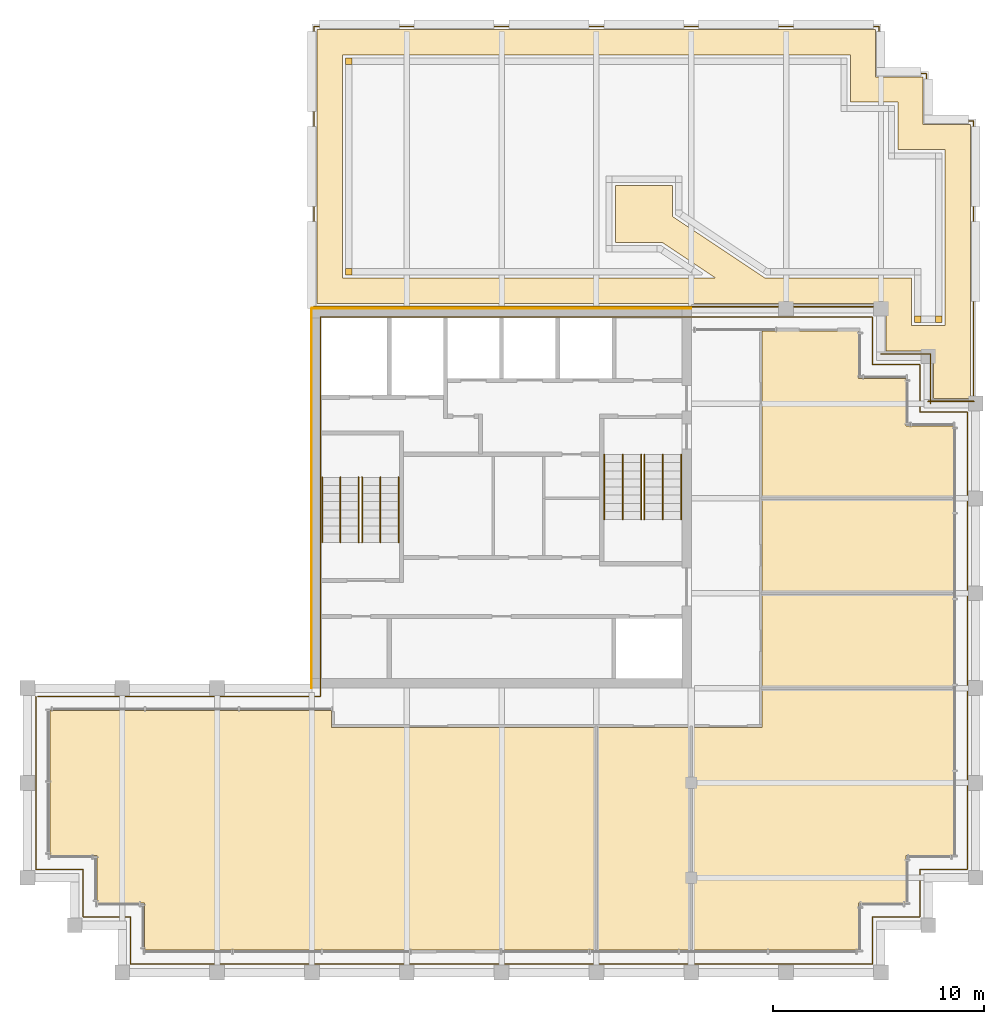
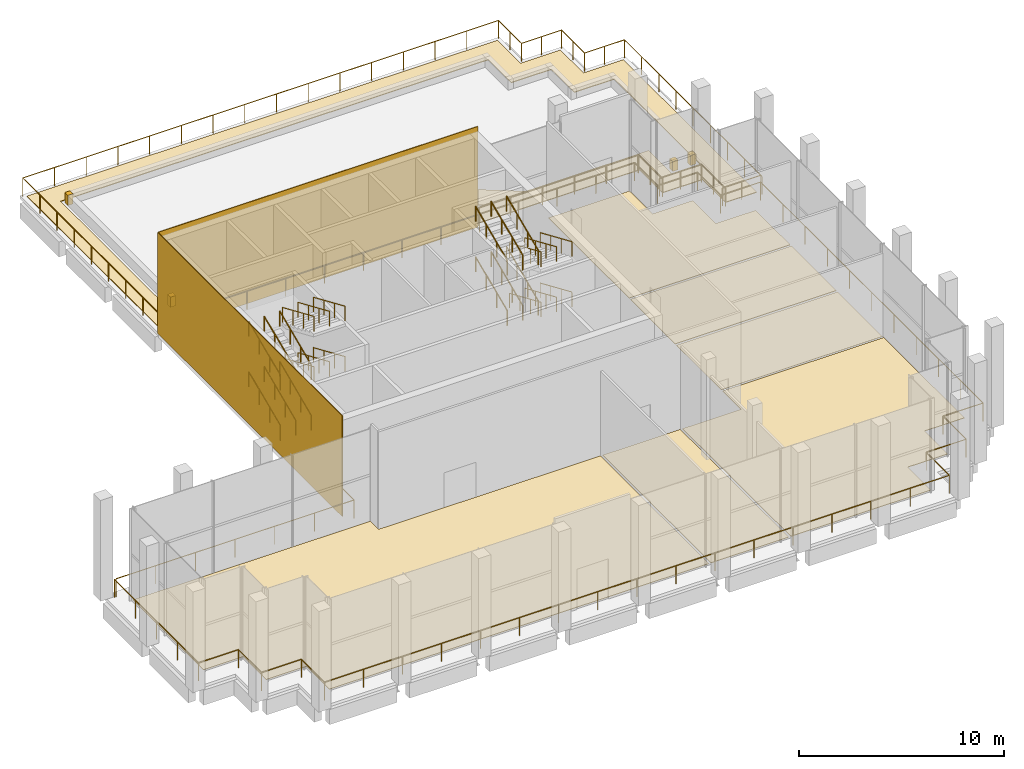
# One storey, part 14 of 15: 29 railings, 13 coverings.
"""IFC4 building model written with IfcOpenShell, lengths in metres."""

from ifc_helpers import new_model, si_unit, direction, frame, origin, origin_2d, place, context, subcontext, project, spatial, polyline, rectangle, circle, outline, extrude, source, transform, mapped, material, layer, layer_set, type_object, element, save


model = new_model("IFC4")

# Units and contexts
model_context = context("Model", 3, precision=1e-05, world=origin(), true_north=direction((0.0, 1.0)))
body_context = subcontext(model_context, "Body", "Model", "MODEL_VIEW")
ifc_project = project(units=[si_unit("LENGTHUNIT", "METRE"), si_unit("AREAUNIT", "SQUARE_METRE"), si_unit("VOLUMEUNIT", "CUBIC_METRE"), si_unit("PLANEANGLEUNIT", "RADIAN"), si_unit("MASSUNIT", "GRAM", prefix="KILO")], contexts=[model_context])

# Site, building, storey
site_placement = place(None, origin())
site = spatial("IfcSite", under=ifc_project, at=site_placement, CompositionType="ELEMENT")
building_placement = place(site_placement, origin())
building = spatial("IfcBuilding", under=site, at=building_placement, Name="Altepetl Exchange Towers", CompositionType="ELEMENT")
storey_placement = place(building_placement, frame((0.0, 0.0, 263.60009765625)))
storey = spatial("IfcBuildingStorey", under=building, at=storey_placement, Name="L67 Observation deck", CompositionType="ELEMENT", Elevation=263.60009765625)

# Coverings
ifc_material_1 = material(Name="Carpet tile")
ifc_layer_1 = layer(ifc_material_1, 0.02001953125)
ifc_layer_set_1 = layer_set([ifc_layer_1], Name="Carpet tile")
covering_type_1 = type_object("IfcCoveringType", Name="Carpet tile floor", PredefinedType="FLOORING", material=ifc_layer_set_1)
covering_1_placement = place(storey_placement, origin())
element("IfcCovering", 1, at=covering_1_placement, inside=storey, type_object=covering_type_1, Name="Meeting room floor finish A67.04", PredefinedType="FLOORING", context=body_context, shape_type="SweptSolid", body=[
    extrude(outline(polyline([(61.862548828125, 40.5625), (70.9375, 40.5625), (70.9375, 44.9375), (61.862548828125, 44.9375), (61.862548828125, 40.5625)])), origin(), (0.0, 0.0, 1.0), 0.02001953125),
])
ifc_material_2 = material(Name="Concrete C30/37", Category="concrete")
ifc_layer_2 = layer(ifc_material_2, 0.300048828125)
ifc_layer_set_2 = layer_set([ifc_layer_2], Name="Concrete C30/37")
covering_type_2 = type_object("IfcCoveringType", Name="Planter corner block 300 concrete", PredefinedType="CLADDING", material=ifc_layer_set_2)
covering_2_placement = place(storey_placement, origin())
element("IfcCovering", 2, at=covering_2_placement, inside=storey, type_object=covering_type_2, Name="Planter corner block", PredefinedType="CLADDING", context=body_context, shape_type="SweptSolid", body=[
    extrude(outline(polyline([(42.39990234375, 70.10009765625), (42.39990234375, 70.39990234375), (42.10009765625, 70.39990234375), (42.10009765625, 70.10009765625), (42.39990234375, 70.10009765625)])), origin(), (0.0, 0.0, 1.0), 0.599853515625),
])
covering_3_placement = place(storey_placement, origin())
element("IfcCovering", 3, at=covering_3_placement, inside=storey, type_object=covering_type_2, Name="Planter corner block", PredefinedType="CLADDING", context=body_context, shape_type="SweptSolid", body=[
    extrude(outline(polyline([(42.39990234375, 60.39990234375), (42.10009765625, 60.39990234375), (42.10009765625, 60.10009765625), (42.39990234375, 60.10009765625), (42.39990234375, 60.39990234375)])), origin(), (0.0, 0.0, 1.0), 0.599853515625),
])
covering_4_placement = place(storey_placement, origin())
element("IfcCovering", 4, at=covering_4_placement, inside=storey, type_object=covering_type_2, Name="Planter corner block", PredefinedType="CLADDING", context=body_context, shape_type="SweptSolid", body=[
    extrude(outline(polyline([(69.39990234375, 58.14990234375), (69.10009765625, 58.14990234375), (69.10009765625, 57.85009765625), (69.39990234375, 57.85009765625), (69.39990234375, 58.14990234375)])), origin(), (0.0, 0.0, 1.0), 0.599853515625),
])
covering_5_placement = place(storey_placement, origin())
element("IfcCovering", 5, at=covering_5_placement, inside=storey, type_object=covering_type_2, Name="Planter corner block", PredefinedType="CLADDING", context=body_context, shape_type="SweptSolid", body=[
    extrude(outline(polyline([(70.10009765625, 58.14990234375), (70.10009765625, 57.85009765625), (70.39990234375, 57.85009765625), (70.39990234375, 58.14990234375), (70.10009765625, 58.14990234375)])), origin(), (0.0, 0.0, 1.0), 0.599853515625),
])
ifc_material_3 = material(Name="Cantera stone", Category="masonry")
ifc_layer_3 = layer(ifc_material_3, 0.030029296875)
ifc_layer_set_3 = layer_set([ifc_layer_3], Name="Cantera stone")
covering_type_3 = type_object("IfcCoveringType", Name="Polished stone floor", PredefinedType="FLOORING", material=ifc_layer_set_3)
covering_6_placement = place(storey_placement, origin())
element("IfcCovering", 6, at=covering_6_placement, inside=storey, type_object=covering_type_3, Name="Exhibition room floor finish A67.01", PredefinedType="FLOORING", context=body_context, shape_type="SweptSolid", body=[
    extrude(outline(polyline([(54.0625, 38.637451171875), (54.0625, 28.0625), (58.4375, 28.0625), (58.4375, 38.637451171875), (54.0625, 38.637451171875)])), origin(), (0.0, 0.0, 1.0), 0.02978515625),
])
covering_7_placement = place(storey_placement, origin())
element("IfcCovering", 7, at=covering_7_placement, inside=storey, type_object=covering_type_3, Name="Observation gallery floor finish A67.02", PredefinedType="FLOORING", context=body_context, shape_type="SweptSolid", body=[
    extrude(outline(polyline([(53.9375, 38.637451171875), (41.4375, 38.637451171875), (41.4375, 39.4375), (28.0625, 39.4375), (28.0625, 32.5625), (30.3125, 32.5625), (30.3125, 30.3125), (32.5625, 30.3125), (32.5625, 28.0625), (53.9375, 28.0625), (53.9375, 38.637451171875)])), origin(), (0.0, 0.0, 1.0), 0.02978515625),
])
covering_8_placement = place(storey_placement, origin())
element("IfcCovering", 8, at=covering_8_placement, inside=storey, type_object=covering_type_3, Name="Lookout cafe floor finish A67.03", PredefinedType="FLOORING", context=body_context, shape_type="SweptSolid", body=[
    extrude(outline(polyline([(58.5625, 38.637451171875), (58.5625, 28.0625), (66.4375, 28.0625), (66.4375, 30.3125), (68.6875, 30.3125), (68.6875, 32.5625), (70.9375, 32.5625), (70.9375, 40.4375), (61.862548828125, 40.4375), (61.862548828125, 38.637451171875), (58.5625, 38.637451171875)])), origin(), (0.0, 0.0, 1.0), 0.02978515625),
])
covering_9_placement = place(storey_placement, origin())
element("IfcCovering", 9, at=covering_9_placement, inside=storey, type_object=covering_type_3, Name="Reception floor finish A67.05", PredefinedType="FLOORING", context=body_context, shape_type="SweptSolid", body=[
    extrude(outline(polyline([(61.862548828125, 45.0625), (70.9375, 45.0625), (70.9375, 49.4375), (61.862548828125, 49.4375), (61.862548828125, 45.0625)])), origin(), (0.0, 0.0, 1.0), 0.02978515625),
])
covering_10_placement = place(storey_placement, origin())
element("IfcCovering", 10, at=covering_10_placement, inside=storey, type_object=covering_type_3, Name="Event room floor finish A67.06", PredefinedType="FLOORING", context=body_context, shape_type="SweptSolid", body=[
    extrude(outline(polyline([(61.862548828125, 49.5625), (70.9375, 49.5625), (70.9375, 52.9375), (68.6875, 52.9375), (68.6875, 55.1875), (66.4375, 55.1875), (66.4375, 57.4375), (61.862548828125, 57.4375), (61.862548828125, 49.5625)])), origin(), (0.0, 0.0, 1.0), 0.02978515625),
])
ifc_material_4 = material(Name="Cantera limestone cladding", Category="masonry")
ifc_layer_4 = layer(ifc_material_4, 0.0400390625)
ifc_layer_set_4 = layer_set([ifc_layer_4], Name="Cantera limestone cladding")
covering_type_4 = type_object("IfcCoveringType", Name="Stone panel 40 cantera", PredefinedType="CLADDING", material=ifc_layer_set_4)
for number, where, z_axis, x_axis, name in (
    (11, (49.5, 58.52001953125, 0.0), (0.0, 0.0, 1.0), (-1.0, 0.0, 0.0), "Stone cladding panel"),
    (12, (40.47998046875, 49.5, 0.0), (0.0, 0.0, 1.0), (0.0, -1.0, 0.0), "Stone cladding panel"),
):
    element("IfcCovering", number, at=place(storey_placement, frame(where, z_axis=z_axis, x_axis=x_axis)), inside=storey, type_object=covering_type_4, Name=name, PredefinedType="CLADDING", context=body_context, shape_type="SweptSolid", body=[
        extrude(rectangle(XDim=18.0, YDim=0.0400390625, at=origin_2d()), origin(), (0.0, 0.0, 1.0), 6.0),
    ])
ifc_material_5 = material(Name="Cantera limestone paving", Category="masonry")
ifc_layer_5 = layer(ifc_material_5, 0.0400390625)
ifc_layer_set_5 = layer_set([ifc_layer_5], Name="Cantera limestone paving")
covering_type_5 = type_object("IfcCoveringType", Name="Stone terrace paving 40", PredefinedType="FLOORING", material=ifc_layer_set_5)
covering_11_placement = place(storey_placement, origin())
element("IfcCovering", 13, at=covering_11_placement, inside=storey, type_object=covering_type_5, Name="Terrace paving", PredefinedType="FLOORING", context=body_context, shape_type="SweptSolid", body=[
    extrude(outline(polyline([(67.25, 69.5), (67.25, 71.75), (40.75, 71.75), (40.75, 58.75), (67.75, 58.75), (67.75, 56.5), (70.0, 56.5), (70.0, 54.25), (71.75, 54.25), (71.75, 67.25), (69.5, 67.25), (69.5, 69.5), (67.25, 69.5)]), holes=[polyline([(41.949951171875, 70.550048828125), (41.949951171875, 59.949951171875), (59.66748046875, 59.949951171875), (57.10791015625, 61.64990234375), (54.89990234375, 61.64990234375), (54.89990234375, 64.35009765625), (57.60009765625, 64.35009765625), (57.60009765625, 62.8837890625), (62.01708984375, 59.949951171875), (68.949951171875, 59.949951171875), (68.949951171875, 57.699951171875), (70.550048828125, 57.699951171875), (70.550048828125, 66.050048828125), (68.300048828125, 66.050048828125), (68.300048828125, 68.300048828125), (66.050048828125, 68.300048828125), (66.050048828125, 70.550048828125), (41.949951171875, 70.550048828125)])]), origin(), (0.0, 0.0, 1.0), 0.039794921875),
])

# Railings
ifc_material_6 = material(Name="Steel S355", Category="steel")
railing_type_1 = type_object("IfcRailingType", Name="Guard 1100 steel posts and rail", PredefinedType="GUARDRAIL", material=ifc_material_6)
shared_shape_1 = source(origin(), body_context, "Body", "SweptSolid", [
    extrude(circle(Radius=0.02099609375, at=origin_2d()), origin(), (0.0, 0.0, 1.0), 1.052001953125),
])
railing_1_placement = place(storey_placement, frame((27.39990234375, 40.10009765625, 0.0)))
element("IfcRailing", 14, at=railing_1_placement, inside=storey, type_object=railing_type_1, Name="Loggia guard", PredefinedType="GUARDRAIL", context=body_context, shape_type="SweptSolid", body=[
    extrude(circle(Radius=0.02392578125, at=origin_2d()), frame((0.0, 0.0, 1.076171875), z_axis=(0.0, -1.0, 0.0), x_axis=(1.0, 0.0, 0.0)), (0.0, 0.0, 1.0), 8.2001953125),
    extrude(circle(Radius=0.02392578125, at=origin_2d()), frame((0.0, -8.2001953125, 1.076171875), z_axis=(1.0, 0.0, 0.0), x_axis=(0.0, 1.0, 0.0)), (0.0, 0.0, 1.0), 2.25),
    extrude(circle(Radius=0.02392578125, at=origin_2d()), frame((2.25, -8.2001953125, 1.076171875), z_axis=(0.0, -1.0, 0.0), x_axis=(1.0, 0.0, 0.0)), (0.0, 0.0, 1.0), 2.25),
    extrude(circle(Radius=0.02392578125, at=origin_2d()), frame((2.25, -10.4501953125, 1.076171875), z_axis=(1.0, 0.0, 0.0), x_axis=(0.0, 1.0, 0.0)), (0.0, 0.0, 1.0), 2.25),
    extrude(circle(Radius=0.02392578125, at=origin_2d()), frame((4.5, -10.4501953125, 1.076171875), z_axis=(0.0, -1.0, 0.0), x_axis=(1.0, 0.0, 0.0)), (0.0, 0.0, 1.0), 2.25),
    extrude(circle(Radius=0.02392578125, at=origin_2d()), frame((4.5, -12.7001953125, 1.076171875), z_axis=(1.0, 0.0, 0.0), x_axis=(0.0, 1.0, 0.0)), (0.0, 0.0, 1.0), 35.2001953125),
    extrude(circle(Radius=0.02392578125, at=origin_2d()), frame((39.7001953125, -12.7001953125, 1.076171875), z_axis=(0.0, 1.0, 0.0), x_axis=(-1.0, 0.0, 0.0)), (0.0, 0.0, 1.0), 2.25),
    extrude(circle(Radius=0.02392578125, at=origin_2d()), frame((39.7001953125, -10.4501953125, 1.076171875), z_axis=(1.0, 0.0, 0.0), x_axis=(0.0, 1.0, 0.0)), (0.0, 0.0, 1.0), 2.25),
    extrude(circle(Radius=0.02392578125, at=origin_2d()), frame((41.9501953125, -10.4501953125, 1.076171875), z_axis=(0.0, 1.0, 0.0), x_axis=(-1.0, 0.0, 0.0)), (0.0, 0.0, 1.0), 2.25),
    extrude(circle(Radius=0.02392578125, at=origin_2d()), frame((41.9501953125, -8.2001953125, 1.076171875), z_axis=(1.0, 0.0, 0.0), x_axis=(0.0, 1.0, 0.0)), (0.0, 0.0, 1.0), 2.25),
    extrude(circle(Radius=0.02392578125, at=origin_2d()), frame((44.2001953125, -8.2001953125, 1.076171875), z_axis=(0.0, 1.0, 0.0), x_axis=(-1.0, 0.0, 0.0)), (0.0, 0.0, 1.0), 21.7001953125),
    extrude(circle(Radius=0.02392578125, at=origin_2d()), frame((44.2001953125, 13.5, 1.076171875), z_axis=(-1.0, 0.0, 0.0), x_axis=(0.0, -1.0, 0.0)), (0.0, 0.0, 1.0), 2.25),
    extrude(circle(Radius=0.02392578125, at=origin_2d()), frame((41.9501953125, 13.5, 1.076171875), z_axis=(0.0, 1.0, 0.0), x_axis=(-1.0, 0.0, 0.0)), (0.0, 0.0, 1.0), 2.25),
    extrude(circle(Radius=0.02392578125, at=origin_2d()), frame((41.9501953125, 15.75, 1.076171875), z_axis=(-1.0, 0.0, 0.0), x_axis=(0.0, -1.0, 0.0)), (0.0, 0.0, 1.0), 2.25),
    extrude(circle(Radius=0.02392578125, at=origin_2d()), frame((39.7001953125, 15.75, 1.076171875), z_axis=(0.0, 1.0, 0.0), x_axis=(-1.0, 0.0, 0.0)), (0.0, 0.0, 1.0), 2.25),
    extrude(circle(Radius=0.02392578125, at=origin_2d()), frame((39.7001953125, 18.0, 1.076171875), z_axis=(-1.0, 0.0, 0.0), x_axis=(0.0, -1.0, 0.0)), (0.0, 0.0, 1.0), 26.2001953125),
    extrude(circle(Radius=0.02392578125, at=origin_2d()), frame((13.5, 18.0, 1.076171875), z_axis=(0.0, -1.0, 0.0), x_axis=(1.0, 0.0, 0.0)), (0.0, 0.0, 1.0), 18.0),
    extrude(circle(Radius=0.02392578125, at=origin_2d()), frame((13.5, 0.0, 1.076171875), z_axis=(-1.0, 0.0, 0.0), x_axis=(0.0, -1.0, 0.0)), (0.0, 0.0, 1.0), 13.39990234375),
    mapped(shared_shape_1, transform((0.0, 0.0, 0.0))),
    mapped(shared_shape_1, transform((0.0, -2.050048828125, 0.0))),
    mapped(shared_shape_1, transform((0.0, -4.10009765625, 0.0))),
    mapped(shared_shape_1, transform((0.0, -6.150146484375, 0.0))),
    mapped(shared_shape_1, transform((0.0, -8.2001953125, 0.0))),
    mapped(shared_shape_1, transform((2.25, -8.2001953125, 0.0))),
    mapped(shared_shape_1, transform((2.25, -10.4501953125, 0.0))),
    mapped(shared_shape_1, transform((4.5, -10.4501953125, 0.0))),
    mapped(shared_shape_1, transform((4.5, -12.7001953125, 0.0))),
    mapped(shared_shape_1, transform((6.699951171875, -12.7001953125, 0.0))),
    mapped(shared_shape_1, transform((8.89990234375, -12.7001953125, 0.0))),
    mapped(shared_shape_1, transform((11.10009765625, -12.7001953125, 0.0))),
    mapped(shared_shape_1, transform((13.300048828125, -12.7001953125, 0.0))),
    mapped(shared_shape_1, transform((15.5, -12.7001953125, 0.0))),
    mapped(shared_shape_1, transform((17.7001953125, -12.7001953125, 0.0))),
    mapped(shared_shape_1, transform((19.900146484375, -12.7001953125, 0.0))),
    mapped(shared_shape_1, transform((22.10009765625, -12.7001953125, 0.0))),
    mapped(shared_shape_1, transform((24.300048828125, -12.7001953125, 0.0))),
    mapped(shared_shape_1, transform((26.5, -12.7001953125, 0.0))),
    mapped(shared_shape_1, transform((28.7001953125, -12.7001953125, 0.0))),
    mapped(shared_shape_1, transform((30.900146484375, -12.7001953125, 0.0))),
    mapped(shared_shape_1, transform((33.10009765625, -12.7001953125, 0.0))),
    mapped(shared_shape_1, transform((35.30029296875, -12.7001953125, 0.0))),
    mapped(shared_shape_1, transform((37.500244140625, -12.7001953125, 0.0))),
    mapped(shared_shape_1, transform((39.7001953125, -12.7001953125, 0.0))),
    mapped(shared_shape_1, transform((39.7001953125, -10.4501953125, 0.0))),
    mapped(shared_shape_1, transform((41.9501953125, -10.4501953125, 0.0))),
    mapped(shared_shape_1, transform((41.9501953125, -8.2001953125, 0.0))),
    mapped(shared_shape_1, transform((44.2001953125, -8.2001953125, 0.0))),
    mapped(shared_shape_1, transform((44.2001953125, -6.0302734375, 0.0))),
    mapped(shared_shape_1, transform((44.2001953125, -3.860107421875, 0.0))),
    mapped(shared_shape_1, transform((44.2001953125, -1.690185546875, 0.0))),
    mapped(shared_shape_1, transform((44.2001953125, 0.47998046875, 0.0))),
    mapped(shared_shape_1, transform((44.2001953125, 2.64990234375, 0.0))),
    mapped(shared_shape_1, transform((44.2001953125, 4.81982421875, 0.0))),
    mapped(shared_shape_1, transform((44.2001953125, 6.989990234375, 0.0))),
    mapped(shared_shape_1, transform((44.2001953125, 9.159912109375, 0.0))),
    mapped(shared_shape_1, transform((44.2001953125, 11.330078125, 0.0))),
    mapped(shared_shape_1, transform((44.2001953125, 13.5, 0.0))),
    mapped(shared_shape_1, transform((41.9501953125, 13.5, 0.0))),
    mapped(shared_shape_1, transform((41.9501953125, 15.75, 0.0))),
    mapped(shared_shape_1, transform((39.7001953125, 15.75, 0.0))),
    mapped(shared_shape_1, transform((39.7001953125, 18.0, 0.0))),
    mapped(shared_shape_1, transform((37.516845703125, 18.0, 0.0))),
    mapped(shared_shape_1, transform((35.33349609375, 18.0, 0.0))),
    mapped(shared_shape_1, transform((33.150146484375, 18.0, 0.0))),
    mapped(shared_shape_1, transform((30.966796875, 18.0, 0.0))),
    mapped(shared_shape_1, transform((28.783447265625, 18.0, 0.0))),
    mapped(shared_shape_1, transform((26.60009765625, 18.0, 0.0))),
    mapped(shared_shape_1, transform((24.416748046875, 18.0, 0.0))),
    mapped(shared_shape_1, transform((22.2333984375, 18.0, 0.0))),
    mapped(shared_shape_1, transform((20.050048828125, 18.0, 0.0))),
    mapped(shared_shape_1, transform((17.86669921875, 18.0, 0.0))),
    mapped(shared_shape_1, transform((15.683349609375, 18.0, 0.0))),
    mapped(shared_shape_1, transform((13.5, 18.0, 0.0))),
    mapped(shared_shape_1, transform((13.5, 15.75, 0.0))),
    mapped(shared_shape_1, transform((13.5, 13.5, 0.0))),
    mapped(shared_shape_1, transform((13.5, 11.25, 0.0))),
    mapped(shared_shape_1, transform((13.5, 9.0, 0.0))),
    mapped(shared_shape_1, transform((13.5, 6.75, 0.0))),
    mapped(shared_shape_1, transform((13.5, 4.5, 0.0))),
    mapped(shared_shape_1, transform((13.5, 2.25, 0.0))),
    mapped(shared_shape_1, transform((13.5, 0.0, 0.0))),
    mapped(shared_shape_1, transform((11.2666015625, 0.0, 0.0))),
    mapped(shared_shape_1, transform((9.033447265625, 0.0, 0.0))),
    mapped(shared_shape_1, transform((6.800048828125, 0.0, 0.0))),
    mapped(shared_shape_1, transform((4.566650390625, 0.0, 0.0))),
    mapped(shared_shape_1, transform((2.33349609375, 0.0, 0.0))),
    mapped(shared_shape_1, transform((0.10009765625, 0.0, 0.0))),
])
railing_2_placement = place(storey_placement, frame((71.89990234375, 54.0, 0.0)))
element("IfcRailing", 15, at=railing_2_placement, inside=storey, type_object=railing_type_1, Name="Terrace guard", PredefinedType="GUARDRAIL", context=body_context, shape_type="SweptSolid", body=[
    extrude(circle(Radius=0.02392578125, at=origin_2d()), frame((0.0, 0.0, 1.076171875), z_axis=(0.0, 1.0, 0.0), x_axis=(-1.0, 0.0, 0.0)), (0.0, 0.0, 1.0), 13.39990234375),
    extrude(circle(Radius=0.02392578125, at=origin_2d()), frame((0.0, 13.39990234375, 1.076171875), z_axis=(-1.0, 0.0, 0.0), x_axis=(0.0, -1.0, 0.0)), (0.0, 0.0, 1.0), 2.25),
    extrude(circle(Radius=0.02392578125, at=origin_2d()), frame((-2.25, 13.39990234375, 1.076171875), z_axis=(0.0, 1.0, 0.0), x_axis=(-1.0, 0.0, 0.0)), (0.0, 0.0, 1.0), 2.25),
    extrude(circle(Radius=0.02392578125, at=origin_2d()), frame((-2.25, 15.64990234375, 1.076171875), z_axis=(-1.0, 0.0, 0.0), x_axis=(0.0, -1.0, 0.0)), (0.0, 0.0, 1.0), 2.25),
    extrude(circle(Radius=0.02392578125, at=origin_2d()), frame((-4.5, 15.64990234375, 1.076171875), z_axis=(0.0, 1.0, 0.0), x_axis=(-1.0, 0.0, 0.0)), (0.0, 0.0, 1.0), 2.25),
    extrude(circle(Radius=0.02392578125, at=origin_2d()), frame((-4.5, 17.89990234375, 1.076171875), z_axis=(-1.0, 0.0, 0.0), x_axis=(0.0, -1.0, 0.0)), (0.0, 0.0, 1.0), 26.7998046875),
    extrude(circle(Radius=0.02392578125, at=origin_2d()), frame((-31.2998046875, 17.89990234375, 1.076171875), z_axis=(0.0, -1.0, 0.0), x_axis=(1.0, 0.0, 0.0)), (0.0, 0.0, 1.0), 13.39990234375),
    mapped(shared_shape_1, transform((0.0, 0.0, 0.0))),
    mapped(shared_shape_1, transform((0.0, 1.675048828125, 0.0))),
    mapped(shared_shape_1, transform((0.0, 3.35009765625, 0.0))),
    mapped(shared_shape_1, transform((0.0, 5.02490234375, 0.0))),
    mapped(shared_shape_1, transform((0.0, 6.699951171875, 0.0))),
    mapped(shared_shape_1, transform((0.0, 8.375, 0.0))),
    mapped(shared_shape_1, transform((0.0, 10.0498046875, 0.0))),
    mapped(shared_shape_1, transform((0.0, 11.724853515625, 0.0))),
    mapped(shared_shape_1, transform((0.0, 13.39990234375, 0.0))),
    mapped(shared_shape_1, transform((-1.125, 13.39990234375, 0.0))),
    mapped(shared_shape_1, transform((-2.25, 13.39990234375, 0.0))),
    mapped(shared_shape_1, transform((-2.25, 14.52490234375, 0.0))),
    mapped(shared_shape_1, transform((-2.25, 15.64990234375, 0.0))),
    mapped(shared_shape_1, transform((-3.375, 15.64990234375, 0.0))),
    mapped(shared_shape_1, transform((-4.5, 15.64990234375, 0.0))),
    mapped(shared_shape_1, transform((-4.5, 16.77490234375, 0.0))),
    mapped(shared_shape_1, transform((-4.5, 17.89990234375, 0.0))),
    mapped(shared_shape_1, transform((-6.28662109375, 17.89990234375, 0.0))),
    mapped(shared_shape_1, transform((-8.0732421875, 17.89990234375, 0.0))),
    mapped(shared_shape_1, transform((-9.85986328125, 17.89990234375, 0.0))),
    mapped(shared_shape_1, transform((-11.646728515625, 17.89990234375, 0.0))),
    mapped(shared_shape_1, transform((-13.433349609375, 17.89990234375, 0.0))),
    mapped(shared_shape_1, transform((-15.219970703125, 17.89990234375, 0.0))),
    mapped(shared_shape_1, transform((-17.006591796875, 17.89990234375, 0.0))),
    mapped(shared_shape_1, transform((-18.793212890625, 17.89990234375, 0.0))),
    mapped(shared_shape_1, transform((-20.579833984375, 17.89990234375, 0.0))),
    mapped(shared_shape_1, transform((-22.366455078125, 17.89990234375, 0.0))),
    mapped(shared_shape_1, transform((-24.153076171875, 17.89990234375, 0.0))),
    mapped(shared_shape_1, transform((-25.93994140625, 17.89990234375, 0.0))),
    mapped(shared_shape_1, transform((-27.7265625, 17.89990234375, 0.0))),
    mapped(shared_shape_1, transform((-29.51318359375, 17.89990234375, 0.0))),
    mapped(shared_shape_1, transform((-31.2998046875, 17.89990234375, 0.0))),
    mapped(shared_shape_1, transform((-31.2998046875, 16.224853515625, 0.0))),
    mapped(shared_shape_1, transform((-31.2998046875, 14.5498046875, 0.0))),
    mapped(shared_shape_1, transform((-31.2998046875, 12.875, 0.0))),
    mapped(shared_shape_1, transform((-31.2998046875, 11.199951171875, 0.0))),
    mapped(shared_shape_1, transform((-31.2998046875, 9.52490234375, 0.0))),
    mapped(shared_shape_1, transform((-31.2998046875, 7.85009765625, 0.0))),
    mapped(shared_shape_1, transform((-31.2998046875, 6.175048828125, 0.0))),
    mapped(shared_shape_1, transform((-31.2998046875, 4.5, 0.0))),
])
railing_3_placement = place(storey_placement, frame((40.60009765625, 58.60009765625, 0.0)))
element("IfcRailing", 16, at=railing_3_placement, inside=storey, type_object=railing_type_1, Name="Terrace guard", PredefinedType="GUARDRAIL", context=body_context, shape_type="SweptSolid", body=[
    extrude(circle(Radius=0.02392578125, at=origin_2d()), frame((0.0, 0.0, 1.076171875), z_axis=(1.0, 0.0, 0.0), x_axis=(0.0, 1.0, 0.0)), (0.0, 0.0, 1.0), 27.0),
    extrude(circle(Radius=0.02392578125, at=origin_2d()), frame((27.0, 0.0, 1.076171875), z_axis=(0.0, -1.0, 0.0), x_axis=(1.0, 0.0, 0.0)), (0.0, 0.0, 1.0), 2.35009765625),
    mapped(shared_shape_1, transform((0.0, 0.0, 0.0))),
    mapped(shared_shape_1, transform((1.800048828125, 0.0, 0.0))),
    mapped(shared_shape_1, transform((3.60009765625, 0.0, 0.0))),
    mapped(shared_shape_1, transform((5.39990234375, 0.0, 0.0))),
    mapped(shared_shape_1, transform((7.199951171875, 0.0, 0.0))),
    mapped(shared_shape_1, transform((9.0, 0.0, 0.0))),
    mapped(shared_shape_1, transform((10.800048828125, 0.0, 0.0))),
    mapped(shared_shape_1, transform((12.60009765625, 0.0, 0.0))),
    mapped(shared_shape_1, transform((14.39990234375, 0.0, 0.0))),
    mapped(shared_shape_1, transform((16.199951171875, 0.0, 0.0))),
    mapped(shared_shape_1, transform((18.0, 0.0, 0.0))),
    mapped(shared_shape_1, transform((19.800048828125, 0.0, 0.0))),
    mapped(shared_shape_1, transform((21.60009765625, 0.0, 0.0))),
    mapped(shared_shape_1, transform((23.39990234375, 0.0, 0.0))),
    mapped(shared_shape_1, transform((25.199951171875, 0.0, 0.0))),
    mapped(shared_shape_1, transform((27.0, 0.0, 0.0))),
    mapped(shared_shape_1, transform((27.0, -1.175048828125, 0.0))),
    mapped(shared_shape_1, transform((27.0, -2.35009765625, 0.0))),
])
railing_4_placement = place(storey_placement, frame((67.5, 56.35009765625, 0.0)))
element("IfcRailing", 17, at=railing_4_placement, inside=storey, type_object=railing_type_1, Name="Terrace guard", PredefinedType="GUARDRAIL", context=body_context, shape_type="SweptSolid", body=[
    extrude(circle(Radius=0.02392578125, at=origin_2d()), frame((0.0, 0.0, 1.076171875), z_axis=(1.0, 0.0, 0.0), x_axis=(0.0, 1.0, 0.0)), (0.0, 0.0, 1.0), 2.35009765625),
    extrude(circle(Radius=0.02392578125, at=origin_2d()), frame((2.35009765625, 0.0, 1.076171875), z_axis=(0.0, -1.0, 0.0), x_axis=(1.0, 0.0, 0.0)), (0.0, 0.0, 1.0), 2.35009765625),
    mapped(shared_shape_1, transform((0.0, 0.0, 0.0))),
    mapped(shared_shape_1, transform((1.175048828125, 0.0, 0.0))),
    mapped(shared_shape_1, transform((2.35009765625, 0.0, 0.0))),
    mapped(shared_shape_1, transform((2.35009765625, -1.175048828125, 0.0))),
    mapped(shared_shape_1, transform((2.35009765625, -2.35009765625, 0.0))),
])
railing_5_placement = place(storey_placement, frame((69.75, 54.10009765625, 0.0)))
element("IfcRailing", 18, at=railing_5_placement, inside=storey, type_object=railing_type_1, Name="Terrace guard", PredefinedType="GUARDRAIL", context=body_context, shape_type="SweptSolid", body=[
    extrude(circle(Radius=0.02392578125, at=origin_2d()), frame((0.0, 0.0, 1.076171875), z_axis=(1.0, 0.0, 0.0), x_axis=(0.0, 1.0, 0.0)), (0.0, 0.0, 1.0), 2.14990234375),
    mapped(shared_shape_1, transform((0.0, 0.0, 0.0))),
    mapped(shared_shape_1, transform((1.074951171875, 0.0, 0.0))),
    mapped(shared_shape_1, transform((2.14990234375, 0.0, 0.0))),
])
ifc_material_7 = material(Name="Steel", Category="steel")
railing_type_2 = type_object("IfcRailingType", Name="Stair handrail 50 steel tube", PredefinedType="HANDRAIL", material=ifc_material_7)
shared_shape_2 = source(origin(), body_context, "Body", "SweptSolid", [
    extrude(circle(Radius=0.02099609375, at=origin_2d()), origin(), (0.0, 0.0, 1.0), 0.851806640625),
])
for number, where, name in (
    (19, (42.719970703125, 47.419921875, 0.16650390625), "Stair handrail"),
    (20, (40.97998046875, 47.419921875, 0.16650390625), "Stair handrail"),
    (21, (41.85009765625, 47.419921875, 0.16650390625), "Stair handrail"),
):
    element("IfcRailing", number, at=place(storey_placement, frame(where)), inside=storey, type_object=railing_type_2, Name=name, PredefinedType="HANDRAIL", context=body_context, shape_type="SweptSolid", body=[
        extrude(circle(Radius=0.02392578125, at=origin_2d()), frame((0.0, 0.0, 0.8759765625), z_axis=(0.0, 0.91768649377, 0.39730529716), x_axis=(-1.0, 0.0, 0.0)), (0.0, 0.0, 1.0), 3.3564453125),
        mapped(shared_shape_2, transform((0.0, 0.0, 0.0))),
        mapped(shared_shape_2, transform((0.0, 1.026611328125, 0.444580078125))),
        mapped(shared_shape_2, transform((0.0, 2.053466796875, 0.888916015625))),
        mapped(shared_shape_2, transform((0.0, 3.080078125, 1.33349609375))),
    ])
for number, where, name in (
    (22, (42.8798828125, 50.5, 1.66650390625), "Stair handrail"),
    (23, (44.6201171875, 50.5, 1.66650390625), "Stair handrail"),
    (24, (43.75, 50.5, 1.66650390625), "Stair handrail"),
):
    element("IfcRailing", number, at=place(storey_placement, frame(where)), inside=storey, type_object=railing_type_2, Name=name, PredefinedType="HANDRAIL", context=body_context, shape_type="SweptSolid", body=[
        extrude(circle(Radius=0.02392578125, at=origin_2d()), frame((0.0, 0.0, 0.8759765625), z_axis=(0.0, -0.91768649377, 0.39730529716), x_axis=(1.0, 0.0, 0.0)), (0.0, 0.0, 1.0), 3.3564453125),
        mapped(shared_shape_2, transform((0.0, 0.0, 0.0))),
        mapped(shared_shape_2, transform((0.0, -1.026611328125, 0.444580078125))),
        mapped(shared_shape_2, transform((0.0, -2.053466796875, 0.888916015625))),
        mapped(shared_shape_2, transform((0.0, -3.080078125, 1.33349609375))),
    ])
for number, where, name in (
    (25, (42.719970703125, 47.419921875, 3.16650390625), "Stair handrail"),
    (26, (40.97998046875, 47.419921875, 3.16650390625), "Stair handrail"),
    (27, (41.85009765625, 47.419921875, 3.16650390625), "Stair handrail"),
):
    element("IfcRailing", number, at=place(storey_placement, frame(where)), inside=storey, type_object=railing_type_2, Name=name, PredefinedType="HANDRAIL", context=body_context, shape_type="SweptSolid", body=[
        extrude(circle(Radius=0.02392578125, at=origin_2d()), frame((0.0, 0.0, 0.8759765625), z_axis=(0.0, 0.91768649377, 0.39730529716), x_axis=(-1.0, 0.0, 0.0)), (0.0, 0.0, 1.0), 3.3564453125),
        mapped(shared_shape_2, transform((0.0, 0.0, 0.0))),
        mapped(shared_shape_2, transform((0.0, 1.026611328125, 0.444580078125))),
        mapped(shared_shape_2, transform((0.0, 2.053466796875, 0.888916015625))),
        mapped(shared_shape_2, transform((0.0, 3.080078125, 1.33349609375))),
    ])
for number, where, name in (
    (28, (42.8798828125, 50.5, 4.66650390625), "Stair handrail"),
    (29, (44.6201171875, 50.5, 4.66650390625), "Stair handrail"),
    (30, (43.75, 50.5, 4.66650390625), "Stair handrail"),
    (31, (56.280029296875, 51.580078125, 0.16650390625), "Stair handrail"),
    (32, (58.02001953125, 51.580078125, 0.16650390625), "Stair handrail"),
    (33, (57.14990234375, 51.580078125, 0.16650390625), "Stair handrail"),
):
    element("IfcRailing", number, at=place(storey_placement, frame(where)), inside=storey, type_object=railing_type_2, Name=name, PredefinedType="HANDRAIL", context=body_context, shape_type="SweptSolid", body=[
        extrude(circle(Radius=0.02392578125, at=origin_2d()), frame((0.0, 0.0, 0.8759765625), z_axis=(0.0, -0.91768649377, 0.39730529716), x_axis=(1.0, 0.0, 0.0)), (0.0, 0.0, 1.0), 3.3564453125),
        mapped(shared_shape_2, transform((0.0, 0.0, 0.0))),
        mapped(shared_shape_2, transform((0.0, -1.026611328125, 0.444580078125))),
        mapped(shared_shape_2, transform((0.0, -2.053466796875, 0.888916015625))),
        mapped(shared_shape_2, transform((0.0, -3.080078125, 1.33349609375))),
    ])
for number, where, name in (
    (34, (56.1201171875, 48.5, 1.66650390625), "Stair handrail"),
    (35, (54.3798828125, 48.5, 1.66650390625), "Stair handrail"),
    (36, (55.25, 48.5, 1.66650390625), "Stair handrail"),
):
    element("IfcRailing", number, at=place(storey_placement, frame(where)), inside=storey, type_object=railing_type_2, Name=name, PredefinedType="HANDRAIL", context=body_context, shape_type="SweptSolid", body=[
        extrude(circle(Radius=0.02392578125, at=origin_2d()), frame((0.0, 0.0, 0.8759765625), z_axis=(0.0, 0.91768649377, 0.39730529716), x_axis=(-1.0, 0.0, 0.0)), (0.0, 0.0, 1.0), 3.3564453125),
        mapped(shared_shape_2, transform((0.0, 0.0, 0.0))),
        mapped(shared_shape_2, transform((0.0, 1.026611328125, 0.444580078125))),
        mapped(shared_shape_2, transform((0.0, 2.053466796875, 0.888916015625))),
        mapped(shared_shape_2, transform((0.0, 3.080078125, 1.33349609375))),
    ])
for number, where, name in (
    (37, (56.280029296875, 51.580078125, 3.16650390625), "Stair handrail"),
    (38, (58.02001953125, 51.580078125, 3.16650390625), "Stair handrail"),
    (39, (57.14990234375, 51.580078125, 3.16650390625), "Stair handrail"),
):
    element("IfcRailing", number, at=place(storey_placement, frame(where)), inside=storey, type_object=railing_type_2, Name=name, PredefinedType="HANDRAIL", context=body_context, shape_type="SweptSolid", body=[
        extrude(circle(Radius=0.02392578125, at=origin_2d()), frame((0.0, 0.0, 0.8759765625), z_axis=(0.0, -0.91768649377, 0.39730529716), x_axis=(1.0, 0.0, 0.0)), (0.0, 0.0, 1.0), 3.3564453125),
        mapped(shared_shape_2, transform((0.0, 0.0, 0.0))),
        mapped(shared_shape_2, transform((0.0, -1.026611328125, 0.444580078125))),
        mapped(shared_shape_2, transform((0.0, -2.053466796875, 0.888916015625))),
        mapped(shared_shape_2, transform((0.0, -3.080078125, 1.33349609375))),
    ])
for number, where, name in (
    (40, (56.1201171875, 48.5, 4.66650390625), "Stair handrail"),
    (41, (54.3798828125, 48.5, 4.66650390625), "Stair handrail"),
    (42, (55.25, 48.5, 4.66650390625), "Stair handrail"),
):
    element("IfcRailing", number, at=place(storey_placement, frame(where)), inside=storey, type_object=railing_type_2, Name=name, PredefinedType="HANDRAIL", context=body_context, shape_type="SweptSolid", body=[
        extrude(circle(Radius=0.02392578125, at=origin_2d()), frame((0.0, 0.0, 0.8759765625), z_axis=(0.0, 0.91768649377, 0.39730529716), x_axis=(-1.0, 0.0, 0.0)), (0.0, 0.0, 1.0), 3.3564453125),
        mapped(shared_shape_2, transform((0.0, 0.0, 0.0))),
        mapped(shared_shape_2, transform((0.0, 1.026611328125, 0.444580078125))),
        mapped(shared_shape_2, transform((0.0, 2.053466796875, 0.888916015625))),
        mapped(shared_shape_2, transform((0.0, 3.080078125, 1.33349609375))),
    ])

save(model, "model.ifc")
